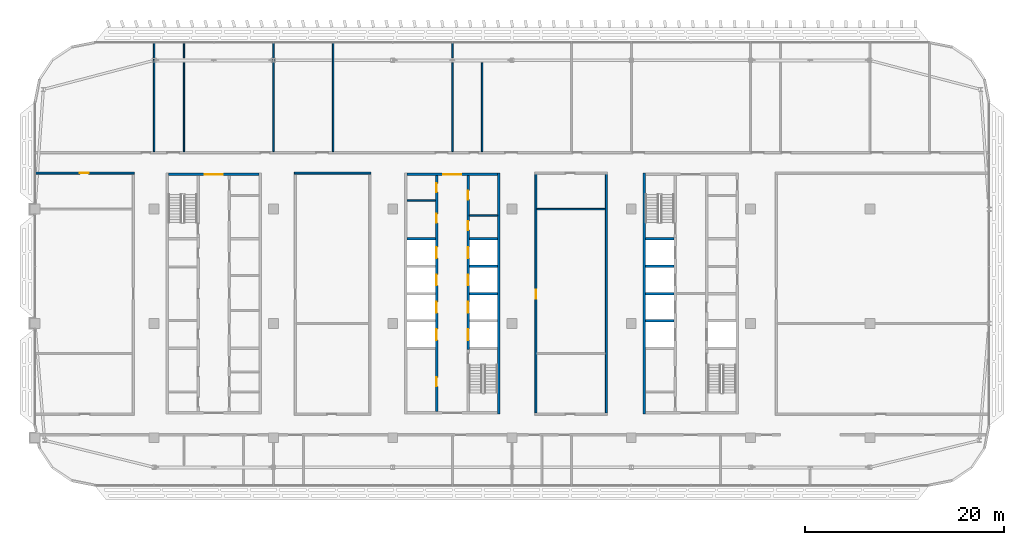
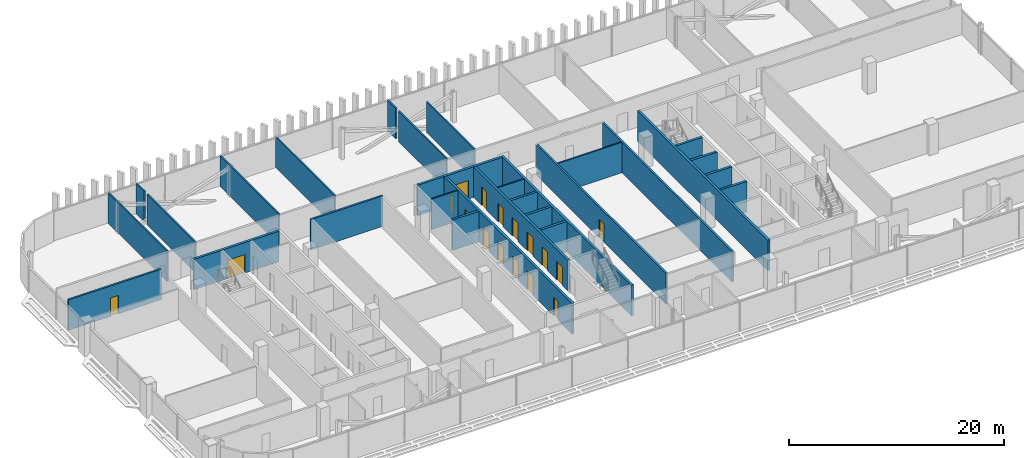
# One storey, part 19 of 32: 29 walls, 17 doors, 17 openings.
"""IFC4 building model written with IfcOpenShell, lengths in metres."""

from ifc_helpers import new_model, si_unit, direction, frame, frame_2d, origin, place, context, subcontext, project, spatial, rectangle, extrude, material, layer, layer_set, type_object, element, fill, save


model = new_model("IFC4")

# Units and contexts
model_context = context("Model", 3, precision=1e-05, world=origin(), true_north=direction((0.0, 1.0)))
body_context = subcontext(model_context, "Body", "Model", "MODEL_VIEW")
ifc_project = project(units=[si_unit("LENGTHUNIT", "METRE"), si_unit("AREAUNIT", "SQUARE_METRE"), si_unit("VOLUMEUNIT", "CUBIC_METRE"), si_unit("PLANEANGLEUNIT", "RADIAN"), si_unit("MASSUNIT", "GRAM", prefix="KILO")], contexts=[model_context])

# Site, building, storey
site_placement = place(None, origin())
site = spatial("IfcSite", under=ifc_project, at=site_placement, CompositionType="ELEMENT")
building_placement = place(site_placement, origin())
building = spatial("IfcBuilding", under=site, at=building_placement, Name="Mahtab Terrace Research Tower", CompositionType="ELEMENT")
storey_placement = place(building_placement, frame((0.0, 0.0, 236.199951171875)))
storey = spatial("IfcBuildingStorey", under=building, at=storey_placement, Name="L57", CompositionType="ELEMENT", Elevation=236.199951171875)

# Walls
ifc_material_1 = material(Name="Gypsum board partition")
ifc_layer_1 = layer(ifc_material_1, 0.14990234375)
ifc_layer_set_1 = layer_set([ifc_layer_1], Name="Core partition 150")
wall_type_1 = type_object("IfcWallType", Name="Core partition 150", PredefinedType="PARTITIONING", material=ifc_layer_set_1)
for number, where, z_axis, x_axis, name in (
    (1, (-4.550048828125, 12.35498046875, 0.0), (0.0, 0.0, 1.0), (1.0, 0.0, 0.0), "Core wall B pWN936"),
    (2, (1.699951171875, 10.875, 0.0), (0.0, 0.0, 1.0), (1.0, 0.0, 0.0), "Core wall B pEN788"),
):
    element("IfcWall", number, at=place(storey_placement, frame(where, z_axis=z_axis, x_axis=x_axis)), inside=storey, type_object=wall_type_1, Name=name, PredefinedType="PARTITIONING", context=body_context, shape_type="SweptSolid", body=[
        extrude(rectangle(XDim=2.85009765625, YDim=0.14990234375, at=frame_2d((1.425048828125, 0.0))), origin(), (0.0, 0.0, 1.0), 3.4599609375),
    ])

# Wall, opening, door
ifc_material_2 = material(Name="Concrete C70/85", Category="concrete")
ifc_layer_2 = layer(ifc_material_2, 0.25)
ifc_layer_set_2 = layer_set([ifc_layer_2], Name="Core wall 250")
wall_type_2 = type_object("IfcWallType", Name="Core wall 250", PredefinedType="SOLIDWALL", material=ifc_layer_set_2)
wall_1_placement = place(storey_placement, frame((-28.550048828125, 15.0, 0.0), z_axis=(0.0, 0.0, 1.0), x_axis=(1.0, 0.0, 0.0)))
wall_1 = element("IfcWall", 3, at=wall_1_placement, inside=storey, type_object=wall_type_2, Name="Core wall A endN", PredefinedType="SOLIDWALL", context=body_context, shape_type="SweptSolid", body=[
    extrude(rectangle(XDim=9.10009765625, YDim=0.25, at=frame_2d((4.550048828125, 0.0))), origin(), (0.0, 0.0, 1.0), 3.4599609375),
])
opening_1_placement = place(wall_1_placement, frame((3.64990234375, 0.0, 0.0)))
opening_1 = element("IfcOpeningElement", 4, at=opening_1_placement, cuts=wall_1, Name="Opening A-N1", PredefinedType="OPENING", context=body_context, shape_type="SweptSolid", body=[
    extrude(rectangle(XDim=1.800048828125, YDim=2.10009765625, at=frame_2d((0.89990234375, 1.050048828125))), frame((0.0, 0.135009765625, 0.0), z_axis=(0.0, -1.0, 0.0), x_axis=(1.0, 0.0, 0.0)), (0.0, 0.0, 1.0), 0.27001953125),
])
ifc_material_3 = material(Name="Steel fire door", Category="steel")
door_type_1 = type_object("IfcDoorType", Name="Lobby double door 1800x2100 1 HR", OperationType="DOUBLE_DOOR_SINGLE_SWING", PredefinedType="DOOR", material=ifc_material_3)
door_1_placement = place(opening_1_placement, origin())
door_1 = element("IfcDoor", 5, at=door_1_placement, inside=storey, type_object=door_type_1, Name="Core entrance door A N", OperationType="DOUBLE_DOOR_SINGLE_SWING", OverallHeight=2.10009765625, OverallWidth=1.800048828125, PredefinedType="DOOR", context=body_context, shape_type="SweptSolid", body=[
    extrude(rectangle(XDim=1.800048828125, YDim=2.10009765625, at=frame_2d((0.89990234375, 1.050048828125))), frame((0.0, 0.02490234375, 0.0), z_axis=(0.0, -1.0, 0.0), x_axis=(1.0, 0.0, 0.0)), (0.0, 0.0, 1.0), 0.050048828125),
])
fill(opening_1, door_1)

# Wall
wall_2_placement = place(storey_placement, frame((4.675048828125, -9.125, 0.0), z_axis=(0.0, 0.0, 1.0), x_axis=(0.0, 1.0, 0.0)))
element("IfcWall", 6, at=wall_2_placement, inside=storey, type_object=wall_type_2, Name="Core wall B outerE", PredefinedType="SOLIDWALL", context=body_context, shape_type="SweptSolid", body=[
    extrude(rectangle(XDim=24.25, YDim=0.25, at=frame_2d((12.125, 0.0))), origin(), (0.0, 0.0, 1.0), 3.4599609375),
])

# Wall, opening, door
wall_3_placement = place(storey_placement, frame((-4.550048828125, 15.0, 0.0), z_axis=(0.0, 0.0, 1.0), x_axis=(1.0, 0.0, 0.0)))
wall_3 = element("IfcWall", 7, at=wall_3_placement, inside=storey, type_object=wall_type_2, Name="Core wall B endN", PredefinedType="SOLIDWALL", context=body_context, shape_type="SweptSolid", body=[
    extrude(rectangle(XDim=9.10009765625, YDim=0.25, at=frame_2d((4.550048828125, 0.0))), origin(), (0.0, 0.0, 1.0), 3.4599609375),
])
opening_2_placement = place(wall_3_placement, frame((3.64990234375, 0.0, 0.0)))
opening_2 = element("IfcOpeningElement", 8, at=opening_2_placement, cuts=wall_3, Name="Opening B-N1", PredefinedType="OPENING", context=body_context, shape_type="SweptSolid", body=[
    extrude(rectangle(XDim=1.800048828125, YDim=2.10009765625, at=frame_2d((0.89990234375, 1.050048828125))), frame((0.0, 0.135009765625, 0.0), z_axis=(0.0, -1.0, 0.0), x_axis=(1.0, 0.0, 0.0)), (0.0, 0.0, 1.0), 0.27001953125),
])
door_2_placement = place(opening_2_placement, origin())
door_2 = element("IfcDoor", 9, at=door_2_placement, inside=storey, type_object=door_type_1, Name="Core entrance door B N", OperationType="DOUBLE_DOOR_SINGLE_SWING", OverallHeight=2.10009765625, OverallWidth=1.800048828125, PredefinedType="DOOR", context=body_context, shape_type="SweptSolid", body=[
    extrude(rectangle(XDim=1.800048828125, YDim=2.10009765625, at=frame_2d((0.89990234375, 1.050048828125))), frame((0.0, 0.02490234375, 0.0), z_axis=(0.0, -1.0, 0.0), x_axis=(1.0, 0.0, 0.0)), (0.0, 0.0, 1.0), 0.050048828125),
])
fill(opening_2, door_2)

# Wall, openings, doors
wall_4_placement = place(storey_placement, frame((-1.574951171875, -8.875, 0.0), z_axis=(0.0, 0.0, 1.0), x_axis=(0.0, 1.0, 0.0)))
wall_4 = element("IfcWall", 10, at=wall_4_placement, inside=storey, type_object=wall_type_2, Name="Core wall B innerWSLN", PredefinedType="SOLIDWALL", context=body_context, shape_type="SweptSolid", body=[
    extrude(rectangle(XDim=23.75, YDim=0.25, at=frame_2d((11.875, 0.0))), origin(), (0.0, 0.0, 1.0), 3.4599609375),
])
opening_3_placement = place(wall_4_placement, frame((7.199951171875, 0.0, 0.0)))
opening_3 = element("IfcOpeningElement", 11, at=opening_3_placement, cuts=wall_4, Name="Opening LD09-L57", PredefinedType="OPENING", context=body_context, shape_type="SweptSolid", body=[
    extrude(rectangle(XDim=1.10009765625, YDim=2.10009765625, at=frame_2d((0.550048828125, 1.050048828125))), frame((0.0, 0.135009765625, 0.0), z_axis=(0.0, -1.0, 0.0), x_axis=(1.0, 0.0, 0.0)), (0.0, 0.0, 1.0), 0.27001953125),
])
opening_4_placement = place(wall_4_placement, frame((9.949951171875, 0.0, 0.0)))
opening_4 = element("IfcOpeningElement", 12, at=opening_4_placement, cuts=wall_4, Name="Opening LD10-L57", PredefinedType="OPENING", context=body_context, shape_type="SweptSolid", body=[
    extrude(rectangle(XDim=1.10009765625, YDim=2.10009765625, at=frame_2d((0.550048828125, 1.050048828125))), frame((0.0, 0.135009765625, 0.0), z_axis=(0.0, -1.0, 0.0), x_axis=(1.0, 0.0, 0.0)), (0.0, 0.0, 1.0), 0.27001953125),
])
opening_5_placement = place(wall_4_placement, frame((12.699951171875, 0.0, 0.0)))
opening_5 = element("IfcOpeningElement", 13, at=opening_5_placement, cuts=wall_4, Name="Opening LD11-L57", PredefinedType="OPENING", context=body_context, shape_type="SweptSolid", body=[
    extrude(rectangle(XDim=1.10009765625, YDim=2.10009765625, at=frame_2d((0.550048828125, 1.050048828125))), frame((0.0, 0.135009765625, 0.0), z_axis=(0.0, -1.0, 0.0), x_axis=(1.0, 0.0, 0.0)), (0.0, 0.0, 1.0), 0.27001953125),
])
opening_6_placement = place(wall_4_placement, frame((15.449951171875, 0.0, 0.0)))
opening_6 = element("IfcOpeningElement", 14, at=opening_6_placement, cuts=wall_4, Name="Opening LD12-L57", PredefinedType="OPENING", context=body_context, shape_type="SweptSolid", body=[
    extrude(rectangle(XDim=1.10009765625, YDim=2.10009765625, at=frame_2d((0.550048828125, 1.050048828125))), frame((0.0, 0.135009765625, 0.0), z_axis=(0.0, -1.0, 0.0), x_axis=(1.0, 0.0, 0.0)), (0.0, 0.0, 1.0), 0.27001953125),
])
opening_7_placement = place(wall_4_placement, frame((2.550048828125, 0.0, 0.0)))
opening_7 = element("IfcOpeningElement", 15, at=opening_7_placement, cuts=wall_4, Name="Opening B-R1", PredefinedType="OPENING", context=body_context, shape_type="SweptSolid", body=[
    extrude(rectangle(XDim=0.89990234375, YDim=2.10009765625, at=frame_2d((0.449951171875, 1.050048828125))), frame((0.0, 0.135009765625, 0.0), z_axis=(0.0, -1.0, 0.0), x_axis=(1.0, 0.0, 0.0)), (0.0, 0.0, 1.0), 0.27001953125),
])
opening_8_placement = place(wall_4_placement, frame((19.00244140625, 0.0, 0.0)))
opening_8 = element("IfcOpeningElement", 16, at=opening_8_placement, cuts=wall_4, Name="Opening B-R2", PredefinedType="OPENING", context=body_context, shape_type="SweptSolid", body=[
    extrude(rectangle(XDim=0.89990234375, YDim=2.10009765625, at=frame_2d((0.449951171875, 1.050048828125))), frame((0.0, 0.135009765625, 0.0), z_axis=(0.0, -1.0, 0.0), x_axis=(1.0, 0.0, 0.0)), (0.0, 0.0, 1.0), 0.27001953125),
])
opening_9_placement = place(wall_4_placement, frame((22.077392578125, 0.0, 0.0)))
opening_9 = element("IfcOpeningElement", 17, at=opening_9_placement, cuts=wall_4, Name="Opening B-R3", PredefinedType="OPENING", context=body_context, shape_type="SweptSolid", body=[
    extrude(rectangle(XDim=0.89990234375, YDim=2.10009765625, at=frame_2d((0.449951171875, 1.050048828125))), frame((0.0, 0.135009765625, 0.0), z_axis=(0.0, -1.0, 0.0), x_axis=(1.0, 0.0, 0.0)), (0.0, 0.0, 1.0), 0.27001953125),
])
ifc_material_4 = material(Name="Stainless steel AISI 304", Category="steel")
door_type_2 = type_object("IfcDoorType", Name="Landing door 1100x2100", OperationType="DOUBLE_DOOR_SLIDING", PredefinedType="DOOR", material=ifc_material_4)
door_3_placement = place(opening_3_placement, origin())
door_3 = element("IfcDoor", 18, at=door_3_placement, inside=storey, type_object=door_type_2, Name="Landing door HR1 L57", OperationType="DOUBLE_DOOR_SLIDING", OverallHeight=2.10009765625, OverallWidth=1.10009765625, PredefinedType="DOOR", context=body_context, shape_type="SweptSolid", body=[
    extrude(rectangle(XDim=1.10009765625, YDim=2.10009765625, at=frame_2d((0.550048828125, 1.050048828125))), frame((0.0, 0.02490234375, 0.0), z_axis=(0.0, -1.0, 0.0), x_axis=(1.0, 0.0, 0.0)), (0.0, 0.0, 1.0), 0.050048828125),
])
fill(opening_3, door_3)
door_4_placement = place(opening_4_placement, origin())
door_4 = element("IfcDoor", 19, at=door_4_placement, inside=storey, type_object=door_type_2, Name="Landing door HR2 L57", OperationType="DOUBLE_DOOR_SLIDING", OverallHeight=2.10009765625, OverallWidth=1.10009765625, PredefinedType="DOOR", context=body_context, shape_type="SweptSolid", body=[
    extrude(rectangle(XDim=1.10009765625, YDim=2.10009765625, at=frame_2d((0.550048828125, 1.050048828125))), frame((0.0, 0.02490234375, 0.0), z_axis=(0.0, -1.0, 0.0), x_axis=(1.0, 0.0, 0.0)), (0.0, 0.0, 1.0), 0.050048828125),
])
fill(opening_4, door_4)
door_5_placement = place(opening_5_placement, origin())
door_5 = element("IfcDoor", 20, at=door_5_placement, inside=storey, type_object=door_type_2, Name="Landing door HR3 L57", OperationType="DOUBLE_DOOR_SLIDING", OverallHeight=2.10009765625, OverallWidth=1.10009765625, PredefinedType="DOOR", context=body_context, shape_type="SweptSolid", body=[
    extrude(rectangle(XDim=1.10009765625, YDim=2.10009765625, at=frame_2d((0.550048828125, 1.050048828125))), frame((0.0, 0.02490234375, 0.0), z_axis=(0.0, -1.0, 0.0), x_axis=(1.0, 0.0, 0.0)), (0.0, 0.0, 1.0), 0.050048828125),
])
fill(opening_5, door_5)
door_6_placement = place(opening_6_placement, origin())
door_6 = element("IfcDoor", 21, at=door_6_placement, inside=storey, type_object=door_type_2, Name="Landing door HR4 L57", OperationType="DOUBLE_DOOR_SLIDING", OverallHeight=2.10009765625, OverallWidth=1.10009765625, PredefinedType="DOOR", context=body_context, shape_type="SweptSolid", body=[
    extrude(rectangle(XDim=1.10009765625, YDim=2.10009765625, at=frame_2d((0.550048828125, 1.050048828125))), frame((0.0, 0.02490234375, 0.0), z_axis=(0.0, -1.0, 0.0), x_axis=(1.0, 0.0, 0.0)), (0.0, 0.0, 1.0), 0.050048828125),
])
fill(opening_6, door_6)
door_type_3 = type_object("IfcDoorType", Name="Room door 900x2100 1 HR", OperationType="NOTDEFINED", PredefinedType="DOOR", material=ifc_material_3)
door_7_placement = place(opening_7_placement, origin())
door_7 = element("IfcDoor", 22, at=door_7_placement, inside=storey, type_object=door_type_3, Name="Gas cylinder store door", OperationType="SINGLE_SWING_LEFT", OverallHeight=2.10009765625, OverallWidth=0.89990234375, PredefinedType="DOOR", context=body_context, shape_type="SweptSolid", body=[
    extrude(rectangle(XDim=0.89990234375, YDim=2.10009765625, at=frame_2d((0.449951171875, 1.050048828125))), frame((0.0, 0.02490234375, 0.0), z_axis=(0.0, -1.0, 0.0), x_axis=(1.0, 0.0, 0.0)), (0.0, 0.0, 1.0), 0.050048828125),
])
fill(opening_7, door_7)
door_8_placement = place(opening_8_placement, origin())
door_8 = element("IfcDoor", 23, at=door_8_placement, inside=storey, type_object=door_type_3, Name="Pantry door", OperationType="SINGLE_SWING_RIGHT", OverallHeight=2.10009765625, OverallWidth=0.89990234375, PredefinedType="DOOR", context=body_context, shape_type="SweptSolid", body=[
    extrude(rectangle(XDim=0.89990234375, YDim=2.10009765625, at=frame_2d((0.449951171875, 1.050048828125))), frame((0.0, 0.02490234375, 0.0), z_axis=(0.0, -1.0, 0.0), x_axis=(1.0, 0.0, 0.0)), (0.0, 0.0, 1.0), 0.050048828125),
])
fill(opening_8, door_8)
door_9_placement = place(opening_9_placement, origin())
door_9 = element("IfcDoor", 24, at=door_9_placement, inside=storey, type_object=door_type_3, Name="Linen store door", OperationType="SINGLE_SWING_LEFT", OverallHeight=2.10009765625, OverallWidth=0.89990234375, PredefinedType="DOOR", context=body_context, shape_type="SweptSolid", body=[
    extrude(rectangle(XDim=0.89990234375, YDim=2.10009765625, at=frame_2d((0.449951171875, 1.050048828125))), frame((0.0, 0.02490234375, 0.0), z_axis=(0.0, -1.0, 0.0), x_axis=(1.0, 0.0, 0.0)), (0.0, 0.0, 1.0), 0.050048828125),
])
fill(opening_9, door_9)

wall_5_placement = place(storey_placement, frame((1.574951171875, 14.875, 0.0), z_axis=(0.0, 0.0, 1.0), x_axis=(0.0, -1.0, 0.0)))
wall_5 = element("IfcWall", 25, at=wall_5_placement, inside=storey, type_object=wall_type_2, Name="Core wall B innerELN", PredefinedType="SOLIDWALL", context=body_context, shape_type="SweptSolid", body=[
    extrude(rectangle(XDim=17.5, YDim=0.25, at=frame_2d((8.75, 0.0))), origin(), (0.0, 0.0, 1.0), 3.4599609375),
])
opening_10_placement = place(wall_5_placement, frame((15.449951171875, 0.0, 0.0)))
opening_10 = element("IfcOpeningElement", 26, at=opening_10_placement, cuts=wall_5, Name="Opening LD13-L57", PredefinedType="OPENING", context=body_context, shape_type="SweptSolid", body=[
    extrude(rectangle(XDim=1.10009765625, YDim=2.10009765625, at=frame_2d((0.550048828125, 1.050048828125))), frame((0.0, 0.135009765625, 0.0), z_axis=(0.0, -1.0, 0.0), x_axis=(1.0, 0.0, 0.0)), (0.0, 0.0, 1.0), 0.27001953125),
])
opening_11_placement = place(wall_5_placement, frame((12.699951171875, 0.0, 0.0)))
opening_11 = element("IfcOpeningElement", 27, at=opening_11_placement, cuts=wall_5, Name="Opening LD14-L57", PredefinedType="OPENING", context=body_context, shape_type="SweptSolid", body=[
    extrude(rectangle(XDim=1.10009765625, YDim=2.10009765625, at=frame_2d((0.550048828125, 1.050048828125))), frame((0.0, 0.135009765625, 0.0), z_axis=(0.0, -1.0, 0.0), x_axis=(1.0, 0.0, 0.0)), (0.0, 0.0, 1.0), 0.27001953125),
])
opening_12_placement = place(wall_5_placement, frame((9.949951171875, 0.0, 0.0)))
opening_12 = element("IfcOpeningElement", 28, at=opening_12_placement, cuts=wall_5, Name="Opening LD15-L57", PredefinedType="OPENING", context=body_context, shape_type="SweptSolid", body=[
    extrude(rectangle(XDim=1.10009765625, YDim=2.10009765625, at=frame_2d((0.550048828125, 1.050048828125))), frame((0.0, 0.135009765625, 0.0), z_axis=(0.0, -1.0, 0.0), x_axis=(1.0, 0.0, 0.0)), (0.0, 0.0, 1.0), 0.27001953125),
])
opening_13_placement = place(wall_5_placement, frame((7.199951171875, 0.0, 0.0)))
opening_13 = element("IfcOpeningElement", 29, at=opening_13_placement, cuts=wall_5, Name="Opening LD16-L57", PredefinedType="OPENING", context=body_context, shape_type="SweptSolid", body=[
    extrude(rectangle(XDim=1.10009765625, YDim=2.10009765625, at=frame_2d((0.550048828125, 1.050048828125))), frame((0.0, 0.135009765625, 0.0), z_axis=(0.0, -1.0, 0.0), x_axis=(1.0, 0.0, 0.0)), (0.0, 0.0, 1.0), 0.27001953125),
])
opening_14_placement = place(wall_5_placement, frame((4.58740234375, 0.0, 0.0)))
opening_14 = element("IfcOpeningElement", 30, at=opening_14_placement, cuts=wall_5, Name="Opening B-R4", PredefinedType="OPENING", context=body_context, shape_type="SweptSolid", body=[
    extrude(rectangle(XDim=0.89990234375, YDim=2.10009765625, at=frame_2d((0.449951171875, 1.050048828125))), frame((0.0, 0.135009765625, 0.0), z_axis=(0.0, -1.0, 0.0), x_axis=(1.0, 0.0, 0.0)), (0.0, 0.0, 1.0), 0.27001953125),
])
opening_15_placement = place(wall_5_placement, frame((1.512451171875, 0.0, 0.0)))
opening_15 = element("IfcOpeningElement", 31, at=opening_15_placement, cuts=wall_5, Name="Opening B-R5", PredefinedType="OPENING", context=body_context, shape_type="SweptSolid", body=[
    extrude(rectangle(XDim=0.89990234375, YDim=2.10009765625, at=frame_2d((0.449951171875, 1.050048828125))), frame((0.0, 0.135009765625, 0.0), z_axis=(0.0, -1.0, 0.0), x_axis=(1.0, 0.0, 0.0)), (0.0, 0.0, 1.0), 0.27001953125),
])
door_10_placement = place(opening_10_placement, origin())
door_10 = element("IfcDoor", 32, at=door_10_placement, inside=storey, type_object=door_type_2, Name="Landing door HR5 L57", OperationType="DOUBLE_DOOR_SLIDING", OverallHeight=2.10009765625, OverallWidth=1.10009765625, PredefinedType="DOOR", context=body_context, shape_type="SweptSolid", body=[
    extrude(rectangle(XDim=1.10009765625, YDim=2.10009765625, at=frame_2d((0.550048828125, 1.050048828125))), frame((0.0, 0.02490234375, 0.0), z_axis=(0.0, -1.0, 0.0), x_axis=(1.0, 0.0, 0.0)), (0.0, 0.0, 1.0), 0.050048828125),
])
fill(opening_10, door_10)
door_11_placement = place(opening_11_placement, origin())
door_11 = element("IfcDoor", 33, at=door_11_placement, inside=storey, type_object=door_type_2, Name="Landing door HR6 L57", OperationType="DOUBLE_DOOR_SLIDING", OverallHeight=2.10009765625, OverallWidth=1.10009765625, PredefinedType="DOOR", context=body_context, shape_type="SweptSolid", body=[
    extrude(rectangle(XDim=1.10009765625, YDim=2.10009765625, at=frame_2d((0.550048828125, 1.050048828125))), frame((0.0, 0.02490234375, 0.0), z_axis=(0.0, -1.0, 0.0), x_axis=(1.0, 0.0, 0.0)), (0.0, 0.0, 1.0), 0.050048828125),
])
fill(opening_11, door_11)
door_12_placement = place(opening_12_placement, origin())
door_12 = element("IfcDoor", 34, at=door_12_placement, inside=storey, type_object=door_type_2, Name="Landing door HR7 L57", OperationType="DOUBLE_DOOR_SLIDING", OverallHeight=2.10009765625, OverallWidth=1.10009765625, PredefinedType="DOOR", context=body_context, shape_type="SweptSolid", body=[
    extrude(rectangle(XDim=1.10009765625, YDim=2.10009765625, at=frame_2d((0.550048828125, 1.050048828125))), frame((0.0, 0.02490234375, 0.0), z_axis=(0.0, -1.0, 0.0), x_axis=(1.0, 0.0, 0.0)), (0.0, 0.0, 1.0), 0.050048828125),
])
fill(opening_12, door_12)
door_13_placement = place(opening_13_placement, origin())
door_13 = element("IfcDoor", 35, at=door_13_placement, inside=storey, type_object=door_type_2, Name="Landing door HR8 L57", OperationType="DOUBLE_DOOR_SLIDING", OverallHeight=2.10009765625, OverallWidth=1.10009765625, PredefinedType="DOOR", context=body_context, shape_type="SweptSolid", body=[
    extrude(rectangle(XDim=1.10009765625, YDim=2.10009765625, at=frame_2d((0.550048828125, 1.050048828125))), frame((0.0, 0.02490234375, 0.0), z_axis=(0.0, -1.0, 0.0), x_axis=(1.0, 0.0, 0.0)), (0.0, 0.0, 1.0), 0.050048828125),
])
fill(opening_13, door_13)
door_14_placement = place(opening_14_placement, origin())
door_14 = element("IfcDoor", 36, at=door_14_placement, inside=storey, type_object=door_type_3, Name="Accessible WC door", OperationType="SINGLE_SWING_RIGHT", OverallHeight=2.10009765625, OverallWidth=0.89990234375, PredefinedType="DOOR", context=body_context, shape_type="SweptSolid", body=[
    extrude(rectangle(XDim=0.89990234375, YDim=2.10009765625, at=frame_2d((0.449951171875, 1.050048828125))), frame((0.0, 0.02490234375, 0.0), z_axis=(0.0, -1.0, 0.0), x_axis=(1.0, 0.0, 0.0)), (0.0, 0.0, 1.0), 0.050048828125),
])
fill(opening_14, door_14)
door_15_placement = place(opening_15_placement, origin())
door_15 = element("IfcDoor", 37, at=door_15_placement, inside=storey, type_object=door_type_3, Name="WC block door", OperationType="SINGLE_SWING_LEFT", OverallHeight=2.10009765625, OverallWidth=0.89990234375, PredefinedType="DOOR", context=body_context, shape_type="SweptSolid", body=[
    extrude(rectangle(XDim=0.89990234375, YDim=2.10009765625, at=frame_2d((0.449951171875, 1.050048828125))), frame((0.0, 0.02490234375, 0.0), z_axis=(0.0, -1.0, 0.0), x_axis=(1.0, 0.0, 0.0)), (0.0, 0.0, 1.0), 0.050048828125),
])
fill(opening_15, door_15)

# Walls
for number, where, z_axis, x_axis, name in (
    (38, (-4.550048828125, 8.5, 0.0), (0.0, 0.0, 1.0), (1.0, 0.0, 0.0), "Core wall B divW4"),
    (39, (1.699951171875, 3.0, 0.0), (0.0, 0.0, 1.0), (1.0, 0.0, 0.0), "Core wall B divE2"),
    (40, (1.699951171875, 5.75, 0.0), (0.0, 0.0, 1.0), (1.0, 0.0, 0.0), "Core wall B divE3"),
    (41, (1.699951171875, 8.5, 0.0), (0.0, 0.0, 1.0), (1.0, 0.0, 0.0), "Core wall B divE4"),
):
    element("IfcWall", number, at=place(storey_placement, frame(where, z_axis=z_axis, x_axis=x_axis)), inside=storey, type_object=wall_type_2, Name=name, PredefinedType="SOLIDWALL", context=body_context, shape_type="SweptSolid", body=[
        extrude(rectangle(XDim=2.85009765625, YDim=0.25, at=frame_2d((1.425048828125, 0.0))), origin(), (0.0, 0.0, 1.0), 3.4599609375),
    ])
wall_6_placement = place(storey_placement, frame((19.324951171875, 15.125, 0.0), z_axis=(0.0, 0.0, 1.0), x_axis=(0.0, -1.0, 0.0)))
element("IfcWall", 42, at=wall_6_placement, inside=storey, type_object=wall_type_2, Name="Core wall C outerW", PredefinedType="SOLIDWALL", context=body_context, shape_type="SweptSolid", body=[
    extrude(rectangle(XDim=24.25, YDim=0.25, at=frame_2d((12.125, 0.0))), origin(), (0.0, 0.0, 1.0), 3.4599609375),
])
for number, where, z_axis, x_axis, name in (
    (43, (19.449951171875, 0.25, 0.0), (0.0, 0.0, 1.0), (1.0, 0.0, 0.0), "Core wall C divW1"),
    (44, (19.449951171875, 3.0, 0.0), (0.0, 0.0, 1.0), (1.0, 0.0, 0.0), "Core wall C divW2"),
    (45, (19.449951171875, 5.75, 0.0), (0.0, 0.0, 1.0), (1.0, 0.0, 0.0), "Core wall C divW3"),
    (46, (19.449951171875, 8.5, 0.0), (0.0, 0.0, 1.0), (1.0, 0.0, 0.0), "Core wall C divW4"),
):
    element("IfcWall", number, at=place(storey_placement, frame(where, z_axis=z_axis, x_axis=x_axis)), inside=storey, type_object=wall_type_2, Name=name, PredefinedType="SOLIDWALL", context=body_context, shape_type="SweptSolid", body=[
        extrude(rectangle(XDim=2.85009765625, YDim=0.25, at=frame_2d((1.425048828125, 0.0))), origin(), (0.0, 0.0, 1.0), 3.4599609375),
    ])

# Wall, opening, door
ifc_material_5 = material(Name="Gypsum board corridor wall on steel studs", Category="steel")
ifc_layer_3 = layer(ifc_material_5, 0.199951171875)
ifc_layer_set_3 = layer_set([ifc_layer_3], Name="WALL CORRIDOR 200")
wall_type_3 = type_object("IfcWallType", Name="WALL CORRIDOR 200", PredefinedType="PARTITIONING", material=ifc_layer_set_3)
wall_7_placement = place(storey_placement, frame((-41.97509765625, 15.125, 0.0), z_axis=(0.0, 0.0, 1.0), x_axis=(1.0, 0.0, 0.0)))
wall_7 = element("IfcWall", 47, at=wall_7_placement, inside=storey, type_object=wall_type_3, Name="L57-W021", PredefinedType="PARTITIONING", context=body_context, shape_type="SweptSolid", body=[
    extrude(rectangle(XDim=9.97509765625, YDim=0.199951171875, at=frame_2d((4.987548828125, 0.0))), origin(), (0.0, 0.0, 1.0), 3.4599609375),
])
opening_16_placement = place(wall_7_placement, frame((4.5, 0.0, 0.0)))
opening_16 = element("IfcOpeningElement", 48, at=opening_16_placement, cuts=wall_7, Name="Opening L57-120", PredefinedType="OPENING", context=body_context, shape_type="SweptSolid", body=[
    extrude(rectangle(XDim=0.89990234375, YDim=2.10009765625, at=frame_2d((0.449951171875, 1.050048828125))), frame((0.0, 0.10986328125, 0.0), z_axis=(0.0, -1.0, 0.0), x_axis=(1.0, 0.0, 0.0)), (0.0, 0.0, 1.0), 0.219970703125),
])
ifc_material_6 = material(Name="Timber door leaf in steel frame", Category="steel")
door_type_4 = type_object("IfcDoorType", Name="DOOR 0900X2100 FD30S", OperationType="SINGLE_SWING_LEFT", PredefinedType="DOOR", material=ifc_material_6)
door_16_placement = place(opening_16_placement, origin())
door_16 = element("IfcDoor", 49, at=door_16_placement, inside=storey, type_object=door_type_4, Name="Door L57-120", OperationType="SINGLE_SWING_LEFT", OverallHeight=2.10009765625, OverallWidth=0.89990234375, PredefinedType="DOOR", context=body_context, shape_type="SweptSolid", body=[
    extrude(rectangle(XDim=0.89990234375, YDim=2.10009765625, at=frame_2d((0.449951171875, 1.050048828125))), frame((0.0, 0.02490234375, 0.0), z_axis=(0.0, -1.0, 0.0), x_axis=(1.0, 0.0, 0.0)), (0.0, 0.0, 1.0), 0.050048828125),
])
fill(opening_16, door_16)

# Wall
wall_8_placement = place(storey_placement, frame((-15.89990234375, 15.125, 0.0), z_axis=(0.0, 0.0, 1.0), x_axis=(1.0, 0.0, 0.0)))
element("IfcWall", 50, at=wall_8_placement, inside=storey, type_object=wall_type_3, Name="L57-W022", PredefinedType="PARTITIONING", context=body_context, shape_type="SweptSolid", body=[
    extrude(rectangle(XDim=7.699951171875, YDim=0.199951171875, at=frame_2d((3.85009765625, 0.0))), origin(), (0.0, 0.0, 1.0), 3.4599609375),
])

# Wall, opening, door
wall_9_placement = place(storey_placement, frame((8.39990234375, -9.02490234375, 0.0), z_axis=(0.0, 0.0, 1.0), x_axis=(0.0, 1.0, 0.0)))
wall_9 = element("IfcWall", 51, at=wall_9_placement, inside=storey, type_object=wall_type_3, Name="L57-W044", PredefinedType="PARTITIONING", context=body_context, shape_type="SweptSolid", body=[
    extrude(rectangle(XDim=24.0498046875, YDim=0.199951171875, at=frame_2d((12.02490234375, 0.0))), origin(), (0.0, 0.0, 1.0), 3.4599609375),
])
opening_17_placement = place(wall_9_placement, frame((11.5, 0.0, 0.0)))
opening_17 = element("IfcOpeningElement", 52, at=opening_17_placement, cuts=wall_9, Name="Opening L57-117", PredefinedType="OPENING", context=body_context, shape_type="SweptSolid", body=[
    extrude(rectangle(XDim=0.89990234375, YDim=2.10009765625, at=frame_2d((0.449951171875, 1.050048828125))), frame((0.0, 0.10986328125, 0.0), z_axis=(0.0, -1.0, 0.0), x_axis=(1.0, 0.0, 0.0)), (0.0, 0.0, 1.0), 0.219970703125),
])
door_17_placement = place(opening_17_placement, origin())
door_17 = element("IfcDoor", 53, at=door_17_placement, inside=storey, type_object=door_type_4, Name="Door L57-117", OperationType="SINGLE_SWING_RIGHT", OverallHeight=2.10009765625, OverallWidth=0.89990234375, PredefinedType="DOOR", context=body_context, shape_type="SweptSolid", body=[
    extrude(rectangle(XDim=0.89990234375, YDim=2.10009765625, at=frame_2d((0.449951171875, 1.050048828125))), frame((0.0, 0.02490234375, 0.0), z_axis=(0.0, -1.0, 0.0), x_axis=(1.0, 0.0, 0.0)), (0.0, 0.0, 1.0), 0.050048828125),
])
fill(opening_17, door_17)

# Walls
wall_10_placement = place(storey_placement, frame((15.5, -9.02490234375, 0.0), z_axis=(0.0, 0.0, 1.0), x_axis=(0.0, 1.0, 0.0)))
element("IfcWall", 54, at=wall_10_placement, inside=storey, type_object=wall_type_3, Name="L57-W048", PredefinedType="PARTITIONING", context=body_context, shape_type="SweptSolid", body=[
    extrude(rectangle(XDim=24.0498046875, YDim=0.199951171875, at=frame_2d((12.02490234375, 0.0))), origin(), (0.0, 0.0, 1.0), 3.4599609375),
])
ifc_material_7 = material(Name="Gypsum board partition on steel studs", Category="steel")
ifc_layer_4 = layer(ifc_material_7, 0.14990234375)
ifc_layer_set_4 = layer_set([ifc_layer_4], Name="WALL PARTITION 150")
wall_type_4 = type_object("IfcWallType", Name="WALL PARTITION 150", PredefinedType="PARTITIONING", material=ifc_layer_set_4)
wall_11_placement = place(storey_placement, frame((8.5, 11.5, 0.0), z_axis=(0.0, 0.0, 1.0), x_axis=(1.0, 0.0, 0.0)))
element("IfcWall", 55, at=wall_11_placement, inside=storey, type_object=wall_type_4, Name="L57-W020", PredefinedType="PARTITIONING", context=body_context, shape_type="SweptSolid", body=[
    extrude(rectangle(XDim=6.89990234375, YDim=0.14990234375, at=frame_2d((3.449951171875, 0.0))), origin(), (0.0, 0.0, 1.0), 3.4599609375),
])
wall_12_placement = place(storey_placement, frame((-30.0, 17.300048828125, 0.0), z_axis=(0.0, 0.0, 1.0), x_axis=(0.0, 1.0, 0.0)))
element("IfcWall", 56, at=wall_12_placement, inside=storey, type_object=wall_type_4, Name="L57-W027", PredefinedType="PARTITIONING", context=body_context, shape_type="SweptSolid", body=[
    extrude(rectangle(XDim=10.952880859375, YDim=0.14990234375, at=frame_2d((5.4765625, 0.0))), origin(), (0.0, 0.0, 1.0), 3.4599609375),
])
wall_13_placement = place(storey_placement, frame((-27.0, 17.300048828125, 0.0), z_axis=(0.0, 0.0, 1.0), x_axis=(0.0, 1.0, 0.0)))
element("IfcWall", 57, at=wall_13_placement, inside=storey, type_object=wall_type_4, Name="L57-W029", PredefinedType="PARTITIONING", context=body_context, shape_type="SweptSolid", body=[
    extrude(rectangle(XDim=8.920654296875, YDim=0.14990234375, at=frame_2d((4.46044921875, 0.0))), origin(), (0.0, 0.0, 1.0), 3.4599609375),
])
wall_14_placement = place(storey_placement, frame((-27.0, 26.725341796875, 0.0), z_axis=(0.0, 0.0, 1.0), x_axis=(0.0, 1.0, 0.0)))
element("IfcWall", 58, at=wall_14_placement, inside=storey, type_object=wall_type_4, Name="L57-W030", PredefinedType="PARTITIONING", context=body_context, shape_type="SweptSolid", body=[
    extrude(rectangle(XDim=1.527587890625, YDim=0.14990234375, at=frame_2d((0.763671875, 0.0))), origin(), (0.0, 0.0, 1.0), 3.4599609375),
])
for number, where, z_axis, x_axis, name in (
    (59, (-18.0, 17.300048828125, 0.0), (0.0, 0.0, 1.0), (0.0, 1.0, 0.0), "L57-W034"),
    (60, (-12.0, 17.300048828125, 0.0), (0.0, 0.0, 1.0), (0.0, 1.0, 0.0), "L57-W037"),
):
    element("IfcWall", number, at=place(storey_placement, frame(where, z_axis=z_axis, x_axis=x_axis)), inside=storey, type_object=wall_type_4, Name=name, PredefinedType="PARTITIONING", context=body_context, shape_type="SweptSolid", body=[
        extrude(rectangle(XDim=10.952880859375, YDim=0.14990234375, at=frame_2d((5.4765625, 0.0))), origin(), (0.0, 0.0, 1.0), 3.4599609375),
    ])
wall_15_placement = place(storey_placement, frame((0.0, 17.300048828125, 0.0), z_axis=(0.0, 0.0, 1.0), x_axis=(0.0, 1.0, 0.0)))
element("IfcWall", 61, at=wall_15_placement, inside=storey, type_object=wall_type_4, Name="L57-W040", PredefinedType="PARTITIONING", context=body_context, shape_type="SweptSolid", body=[
    extrude(rectangle(XDim=8.920654296875, YDim=0.14990234375, at=frame_2d((4.46044921875, 0.0))), origin(), (0.0, 0.0, 1.0), 3.4599609375),
])
wall_16_placement = place(storey_placement, frame((0.0, 26.725341796875, 0.0), z_axis=(0.0, 0.0, 1.0), x_axis=(0.0, 1.0, 0.0)))
element("IfcWall", 62, at=wall_16_placement, inside=storey, type_object=wall_type_4, Name="L57-W041", PredefinedType="PARTITIONING", context=body_context, shape_type="SweptSolid", body=[
    extrude(rectangle(XDim=1.527587890625, YDim=0.14990234375, at=frame_2d((0.763671875, 0.0))), origin(), (0.0, 0.0, 1.0), 3.4599609375),
])
wall_17_placement = place(storey_placement, frame((3.0, 17.300048828125, 0.0), z_axis=(0.0, 0.0, 1.0), x_axis=(0.0, 1.0, 0.0)))
element("IfcWall", 63, at=wall_17_placement, inside=storey, type_object=wall_type_4, Name="L57-W042", PredefinedType="PARTITIONING", context=body_context, shape_type="SweptSolid", body=[
    extrude(rectangle(XDim=8.920654296875, YDim=0.14990234375, at=frame_2d((4.46044921875, 0.0))), origin(), (0.0, 0.0, 1.0), 3.4599609375),
])

save(model, "model.ifc")
